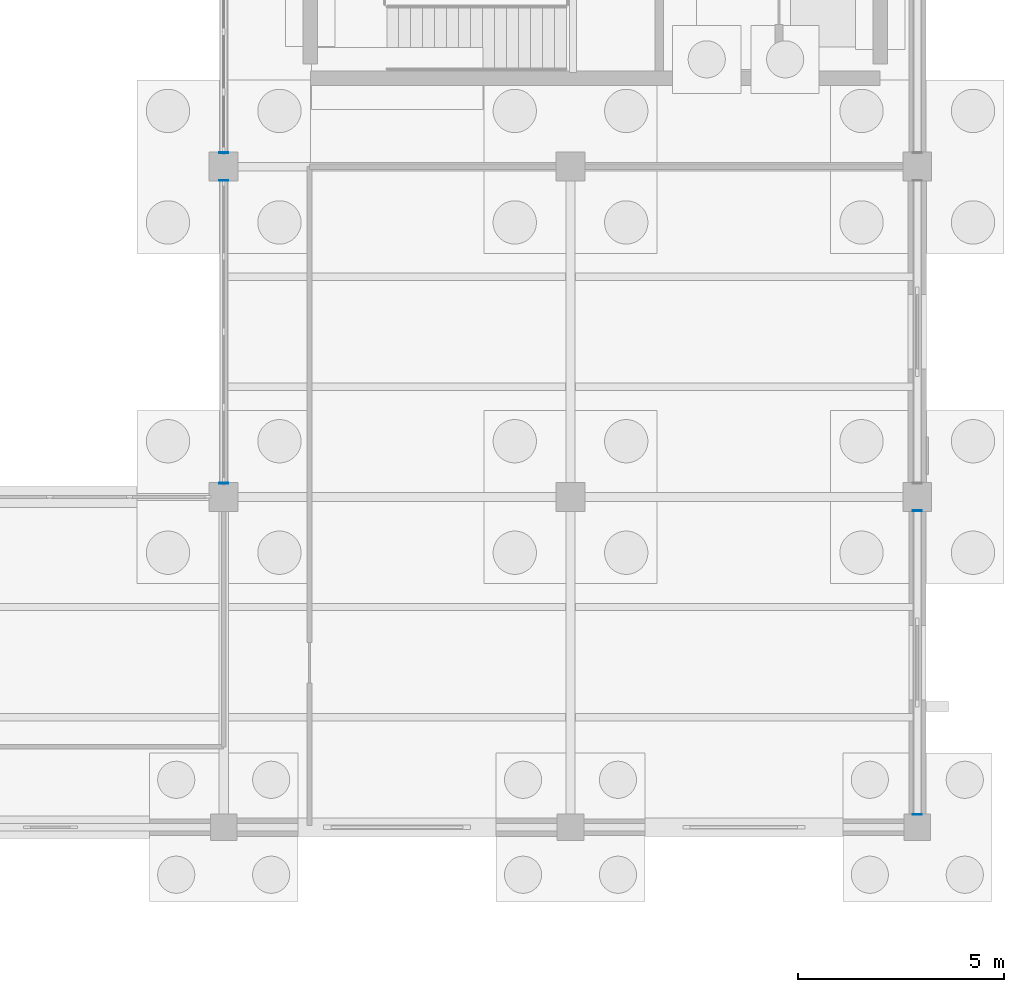
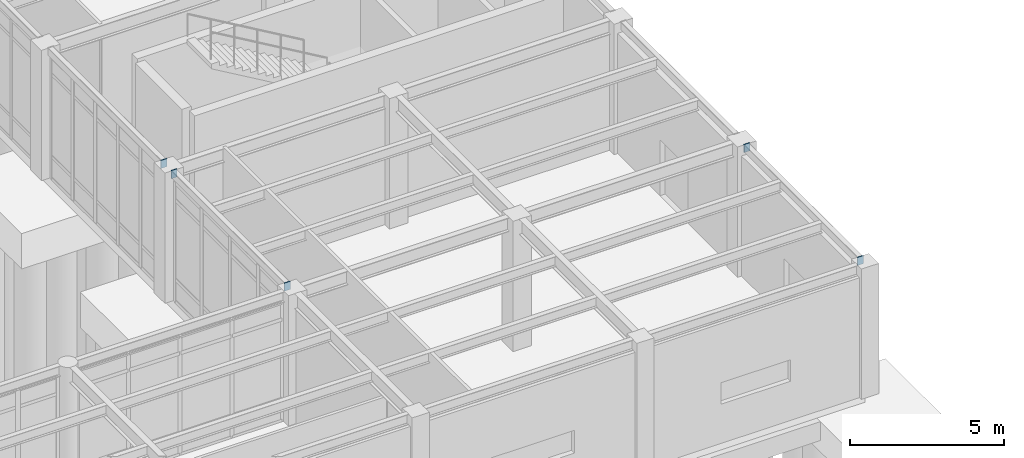
# One storey, part 119 of 138: 5 discrete accessories.
"""IFC4 building model written with IfcOpenShell, lengths in metres."""

from ifc_helpers import new_model, si_unit, direction, frame, origin, origin_2d, place, context, subcontext, project, spatial, rectangle, extrude, material, layer, layer_set, type_object, element, save


model = new_model("IFC4")

# Units and contexts
model_context = context("Model", 3, precision=1e-05, world=origin(), true_north=direction((0.0, 1.0)))
body_context = subcontext(model_context, "Body", "Model", "MODEL_VIEW")
ifc_project = project(units=[si_unit("LENGTHUNIT", "METRE"), si_unit("AREAUNIT", "SQUARE_METRE"), si_unit("VOLUMEUNIT", "CUBIC_METRE"), si_unit("PLANEANGLEUNIT", "RADIAN"), si_unit("MASSUNIT", "GRAM", prefix="KILO")], contexts=[model_context])

# Site, building, storey
site_placement = place(None, origin())
site = spatial("IfcSite", under=ifc_project, at=site_placement, CompositionType="ELEMENT")
building_placement = place(site_placement, origin())
building = spatial("IfcBuilding", under=site, at=building_placement, Name="Kranzveld Transit Interchange", CompositionType="ELEMENT")
storey_placement = place(building_placement, origin())
storey = spatial("IfcBuildingStorey", under=building, at=storey_placement, Name="L00", CompositionType="ELEMENT", Elevation=0.0)

# Discrete accessories
ifc_material = material(Name="Steel S355JR", Category="steel")
ifc_layer = layer(ifc_material, 0.02001953125)
ifc_layer_set = layer_set([ifc_layer], Name="Steel S355JR")
discrete_accessory_type = type_object("IfcDiscreteAccessoryType", Name="Hollow Section End Cap Bracket 20 S355JR", PredefinedType="BRACKET", material=ifc_layer_set)
for number, where, z_axis, x_axis, name in (
    (1, (151.199951171875, 64.343994140625, 5.0), (0.0, -1.0, 0.0), (1.0, 0.0, 0.0), "Hollow Section End Cap SP-RHS300-1"),
    (2, (151.199951171875, 71.656005859375, 5.0), (0.0, 1.0, 0.0), (-1.0, 0.0, 0.0), "Hollow Section End Cap SP-RHS300-2"),
    (3, (151.199951171875, 72.343994140625, 5.0), (0.0, -1.0, 0.0), (1.0, 0.0, 0.0), "Hollow Section End Cap SP-RHS300-1"),
    (4, (168.0, 56.319091796875, 5.0), (0.0, -1.0, 0.0), (1.0, 0.0, 0.0), "Hollow Section End Cap SP-RHS300-1"),
    (5, (168.0, 63.656005859375, 5.0), (0.0, 1.0, 0.0), (-1.0, 0.0, 0.0), "Hollow Section End Cap SP-RHS300-2"),
):
    element("IfcDiscreteAccessory", number, at=place(storey_placement, frame(where, z_axis=z_axis, x_axis=x_axis)), inside=storey, type_object=discrete_accessory_type, Name=name, PredefinedType="BRACKET", context=body_context, shape_type="SweptSolid", body=[
        extrude(rectangle(XDim=0.22412109375, YDim=0.323974609375, at=origin_2d()), origin(), (0.0, 0.0, 1.0), 0.02001953125),
    ])

save(model, "model.ifc")
